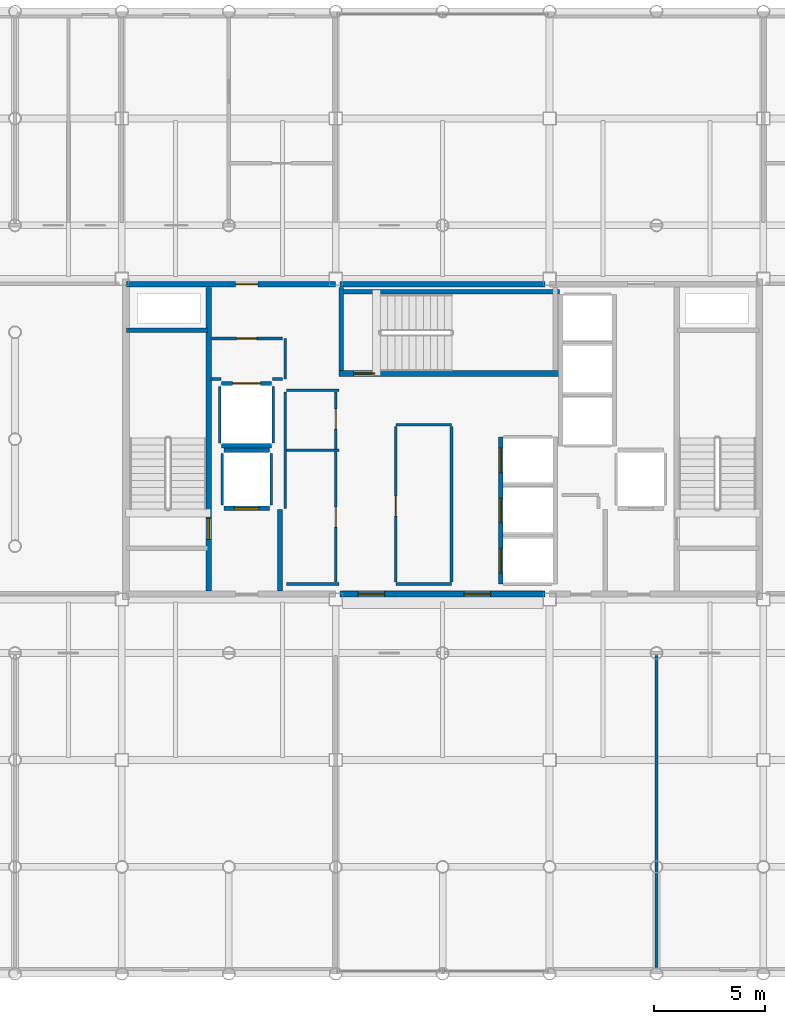
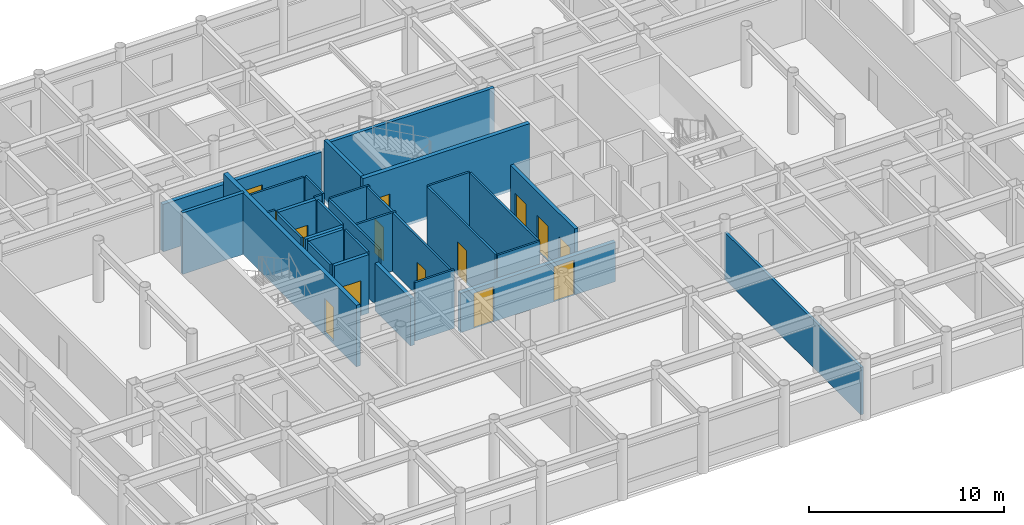
# One storey, part 17 of 21: 32 walls, 14 doors, 14 openings.
"""IFC4 building model written with IfcOpenShell, lengths in metres."""

from ifc_helpers import new_model, si_unit, direction, frame, frame_2d, origin, place, context, subcontext, project, spatial, rectangle, extrude, material, layer, layer_set, type_object, element, fill, save


model = new_model("IFC4")

# Units and contexts
model_context = context("Model", 3, precision=1e-05, world=origin(), true_north=direction((0.0, 1.0)))
body_context = subcontext(model_context, "Body", "Model", "MODEL_VIEW")
ifc_project = project(units=[si_unit("LENGTHUNIT", "METRE"), si_unit("AREAUNIT", "SQUARE_METRE"), si_unit("VOLUMEUNIT", "CUBIC_METRE"), si_unit("PLANEANGLEUNIT", "RADIAN"), si_unit("MASSUNIT", "GRAM", prefix="KILO")], contexts=[model_context])

# Site, building, storey
site_placement = place(None, origin())
site = spatial("IfcSite", under=ifc_project, at=site_placement, CompositionType="ELEMENT")
building_placement = place(site_placement, origin())
building = spatial("IfcBuilding", under=site, at=building_placement, Name="Kallvorn Hotel Tower", CompositionType="ELEMENT")
storey_placement = place(building_placement, frame((0.0, 0.0, 214.60009765625)))
storey = spatial("IfcBuildingStorey", under=building, at=storey_placement, Name="L53", CompositionType="ELEMENT", Elevation=214.60009765625)

# Walls
ifc_material_1 = material(Name="Concrete C40/50", Category="concrete")
ifc_layer_1 = layer(ifc_material_1, 0.219970703125)
ifc_layer_set_1 = layer_set([ifc_layer_1], Name="WL_FFL_220")
wall_type_1 = type_object("IfcWallType", Name="WL_FFL_220", PredefinedType="SOLIDWALL", material=ifc_layer_set_1)
wall_1_placement = place(storey_placement, frame((-7.300048828125, -6.820068359375, 0.0), z_axis=(0.0, 0.0, 1.0), x_axis=(0.0, 1.0, 0.0)))
element("IfcWall", 1, at=wall_1_placement, inside=storey, type_object=wall_type_1, Name="L53 Firefighting Lobby West Divider Wall", PredefinedType="SOLIDWALL", context=body_context, shape_type="SweptSolid", body=[
    extrude(rectangle(XDim=3.670166015625, YDim=0.219970703125, at=frame_2d((1.8349609375, 0.0))), origin(), (0.0, 0.0, 1.0), 2.969970703125),
])
ifc_material_2 = material(Name="Concrete C40/50", Category="concrete")
ifc_layer_2 = layer(ifc_material_2, 0.199951171875)
ifc_layer_set_2 = layer_set([ifc_layer_2], Name="WL_HOIST_200")
wall_type_2 = type_object("IfcWallType", Name="WL_HOIST_200", PredefinedType="SOLIDWALL", material=ifc_layer_set_2)
wall_2_placement = place(storey_placement, frame((-14.199951171875, 4.89990234375, -0.18017578125), z_axis=(0.0, 0.0, 1.0), x_axis=(1.0, 0.0, 0.0)))
element("IfcWall", 2, at=wall_2_placement, inside=storey, type_object=wall_type_2, Name="L53 Stair ST1 North Wall", PredefinedType="SOLIDWALL", context=body_context, shape_type="SweptSolid", body=[
    extrude(rectangle(XDim=3.64990234375, YDim=0.199951171875, at=frame_2d((1.824951171875, 0.0))), origin(), (0.0, 0.0, 1.0), 3.85009765625),
])
wall_3_placement = place(storey_placement, frame((-4.64990234375, 6.610107421875, -0.18017578125), z_axis=(0.0, 0.0, 1.0), x_axis=(1.0, 0.0, 0.0)))
element("IfcWall", 3, at=wall_3_placement, inside=storey, type_object=wall_type_2, Name="L53 Stair ST3 Shaft North Wall", PredefinedType="SOLIDWALL", context=body_context, shape_type="SweptSolid", body=[
    extrude(rectangle(XDim=9.89990234375, YDim=0.199951171875, at=frame_2d((4.949951171875, 0.0))), origin(), (0.0, 0.0, 1.0), 3.85009765625),
])
wall_4_placement = place(storey_placement, frame((-4.550048828125, 3.080078125, -0.18017578125), z_axis=(0.0, 0.0, 1.0), x_axis=(0.0, 1.0, 0.0)))
element("IfcWall", 4, at=wall_4_placement, inside=storey, type_object=wall_type_2, Name="L53 Stair ST3 West Wall", PredefinedType="SOLIDWALL", context=body_context, shape_type="SweptSolid", body=[
    extrude(rectangle(XDim=3.739990234375, YDim=0.199951171875, at=frame_2d((1.8701171875, 0.0))), origin(), (0.0, 0.0, 1.0), 3.85009765625),
])

# Wall, openings, doors
wall_5_placement = place(storey_placement, frame((2.60009765625, -6.5, 0.0), z_axis=(0.0, 0.0, 1.0), x_axis=(0.0, 1.0, 0.0)))
wall_5 = element("IfcWall", 5, at=wall_5_placement, inside=storey, type_object=wall_type_2, Name="L53 Lift Bank B3A Landing Wall", PredefinedType="SOLIDWALL", context=body_context, shape_type="SweptSolid", body=[
    extrude(rectangle(XDim=6.60009765625, YDim=0.199951171875, at=frame_2d((3.300048828125, 0.0))), origin(), (0.0, 0.0, 1.0), 3.669921875),
])
opening_1_placement = place(wall_5_placement, frame((0.5, 0.0, 0.0)))
opening_1 = element("IfcOpeningElement", 6, at=opening_1_placement, cuts=wall_5, Name="Opening LD-PL-09", PredefinedType="OPENING", context=body_context, shape_type="SweptSolid", body=[
    extrude(rectangle(XDim=1.10009765625, YDim=2.199951171875, at=frame_2d((0.550048828125, 1.10009765625))), frame((0.0, 0.114990234375, 0.0), z_axis=(0.0, -1.0, 0.0), x_axis=(1.0, 0.0, 0.0)), (0.0, 0.0, 1.0), 0.22998046875),
])
opening_2_placement = place(wall_5_placement, frame((2.75, 0.0, 0.0)))
opening_2 = element("IfcOpeningElement", 7, at=opening_2_placement, cuts=wall_5, Name="Opening LD-PL-10", PredefinedType="OPENING", context=body_context, shape_type="SweptSolid", body=[
    extrude(rectangle(XDim=1.10009765625, YDim=2.199951171875, at=frame_2d((0.550048828125, 1.10009765625))), frame((0.0, 0.114990234375, 0.0), z_axis=(0.0, -1.0, 0.0), x_axis=(1.0, 0.0, 0.0)), (0.0, 0.0, 1.0), 0.22998046875),
])
opening_3_placement = place(wall_5_placement, frame((5.0, 0.0, 0.0)))
opening_3 = element("IfcOpeningElement", 8, at=opening_3_placement, cuts=wall_5, Name="Opening LD-PL-11", PredefinedType="OPENING", context=body_context, shape_type="SweptSolid", body=[
    extrude(rectangle(XDim=1.10009765625, YDim=2.199951171875, at=frame_2d((0.550048828125, 1.10009765625))), frame((0.0, 0.114990234375, 0.0), z_axis=(0.0, -1.0, 0.0), x_axis=(1.0, 0.0, 0.0)), (0.0, 0.0, 1.0), 0.22998046875),
])
ifc_material_3 = material(Name="Brushed stainless-steel automatic sliding lift landing door", Category="steel")
door_type_1 = type_object("IfcDoorType", Name="LD_PASS_1100x2200", OperationType="SLIDING_TO_LEFT", PredefinedType="DOOR", material=ifc_material_3)
door_1_placement = place(opening_1_placement, origin())
door_1 = element("IfcDoor", 9, at=door_1_placement, inside=storey, type_object=door_type_1, Name="L53 Lift Landing Sliding Door LD-PL-09", OperationType="SLIDING_TO_LEFT", OverallHeight=2.199951171875, OverallWidth=1.10009765625, PredefinedType="DOOR", context=body_context, shape_type="SweptSolid", body=[
    extrude(rectangle(XDim=1.10009765625, YDim=2.199951171875, at=frame_2d((0.550048828125, 1.10009765625))), frame((0.0, 0.02490234375, 0.0), z_axis=(0.0, -1.0, 0.0), x_axis=(1.0, 0.0, 0.0)), (0.0, 0.0, 1.0), 0.050048828125),
])
fill(opening_1, door_1)
door_2_placement = place(opening_2_placement, origin())
door_2 = element("IfcDoor", 10, at=door_2_placement, inside=storey, type_object=door_type_1, Name="L53 Lift Landing Sliding Door LD-PL-10", OperationType="SLIDING_TO_LEFT", OverallHeight=2.199951171875, OverallWidth=1.10009765625, PredefinedType="DOOR", context=body_context, shape_type="SweptSolid", body=[
    extrude(rectangle(XDim=1.10009765625, YDim=2.199951171875, at=frame_2d((0.550048828125, 1.10009765625))), frame((0.0, 0.02490234375, 0.0), z_axis=(0.0, -1.0, 0.0), x_axis=(1.0, 0.0, 0.0)), (0.0, 0.0, 1.0), 0.050048828125),
])
fill(opening_2, door_2)
door_3_placement = place(opening_3_placement, origin())
door_3 = element("IfcDoor", 11, at=door_3_placement, inside=storey, type_object=door_type_1, Name="L53 Lift Landing Sliding Door LD-PL-11", OperationType="SLIDING_TO_LEFT", OverallHeight=2.199951171875, OverallWidth=1.10009765625, PredefinedType="DOOR", context=body_context, shape_type="SweptSolid", body=[
    extrude(rectangle(XDim=1.10009765625, YDim=2.199951171875, at=frame_2d((0.550048828125, 1.10009765625))), frame((0.0, 0.02490234375, 0.0), z_axis=(0.0, -1.0, 0.0), x_axis=(1.0, 0.0, 0.0)), (0.0, 0.0, 1.0), 0.050048828125),
])
fill(opening_3, door_3)

# Wall, opening, door
wall_6_placement = place(storey_placement, frame((-9.820068359375, -3.10009765625, 0.0), z_axis=(0.0, 0.0, 1.0), x_axis=(1.0, 0.0, 0.0)))
wall_6 = element("IfcWall", 12, at=wall_6_placement, inside=storey, type_object=wall_type_2, Name="L53 FL-1 Landing Wall", PredefinedType="SOLIDWALL", context=body_context, shape_type="SweptSolid", body=[
    extrude(rectangle(XDim=2.0400390625, YDim=0.199951171875, at=frame_2d((1.02001953125, 0.0))), origin(), (0.0, 0.0, 1.0), 3.669921875),
])
opening_4_placement = place(wall_6_placement, frame((0.469970703125, 0.0, 0.0)))
opening_4 = element("IfcOpeningElement", 13, at=opening_4_placement, cuts=wall_6, Name="Opening LD-FL-1", PredefinedType="OPENING", context=body_context, shape_type="SweptSolid", body=[
    extrude(rectangle(XDim=1.10009765625, YDim=2.199951171875, at=frame_2d((0.550048828125, 1.10009765625))), frame((0.0, 0.114990234375, 0.0), z_axis=(0.0, -1.0, 0.0), x_axis=(1.0, 0.0, 0.0)), (0.0, 0.0, 1.0), 0.22998046875),
])
door_4_placement = place(opening_4_placement, origin())
door_4 = element("IfcDoor", 14, at=door_4_placement, inside=storey, type_object=door_type_1, Name="L53 Lift Landing Sliding Door LD-FL-1", OperationType="SLIDING_TO_LEFT", OverallHeight=2.199951171875, OverallWidth=1.10009765625, PredefinedType="DOOR", context=body_context, shape_type="SweptSolid", body=[
    extrude(rectangle(XDim=1.10009765625, YDim=2.199951171875, at=frame_2d((0.550048828125, 1.10009765625))), frame((0.0, 0.02490234375, 0.0), z_axis=(0.0, -1.0, 0.0), x_axis=(1.0, 0.0, 0.0)), (0.0, 0.0, 1.0), 0.050048828125),
])
fill(opening_4, door_4)

# Wall
wall_7_placement = place(storey_placement, frame((-9.820068359375, -0.5, 0.0), z_axis=(0.0, 0.0, 1.0), x_axis=(1.0, 0.0, 0.0)))
element("IfcWall", 15, at=wall_7_placement, inside=storey, type_object=wall_type_2, Name="L53 FL-1 Rear Shaft Wall", PredefinedType="SOLIDWALL", context=body_context, shape_type="SweptSolid", body=[
    extrude(rectangle(XDim=2.0400390625, YDim=0.199951171875, at=frame_2d((1.02001953125, 0.0))), origin(), (0.0, 0.0, 1.0), 3.669921875),
])

# Wall, opening, door
wall_8_placement = place(storey_placement, frame((-9.919921875, 2.5, 0.0), z_axis=(0.0, 0.0, 1.0), x_axis=(1.0, 0.0, 0.0)))
wall_8 = element("IfcWall", 16, at=wall_8_placement, inside=storey, type_object=wall_type_2, Name="L53 SV-01 Landing Wall", PredefinedType="SOLIDWALL", context=body_context, shape_type="SweptSolid", body=[
    extrude(rectangle(XDim=2.239990234375, YDim=0.199951171875, at=frame_2d((1.1201171875, 0.0))), origin(), (0.0, 0.0, 1.0), 3.669921875),
])
opening_5_placement = place(wall_8_placement, frame((0.4951171875, 0.0, 0.0)))
opening_5 = element("IfcOpeningElement", 17, at=opening_5_placement, cuts=wall_8, Name="Opening LD-SV-01", PredefinedType="OPENING", context=body_context, shape_type="SweptSolid", body=[
    extrude(rectangle(XDim=1.25, YDim=2.25, at=frame_2d((0.625, 1.125))), frame((0.0, 0.114990234375, 0.0), z_axis=(0.0, -1.0, 0.0), x_axis=(1.0, 0.0, 0.0)), (0.0, 0.0, 1.0), 0.22998046875),
])
ifc_material_4 = material(Name="Brushed stainless-steel automatic sliding lift landing door", Category="steel")
door_type_2 = type_object("IfcDoorType", Name="LD_SERV_1250x2250", OperationType="SLIDING_TO_LEFT", PredefinedType="DOOR", material=ifc_material_4)
door_5_placement = place(opening_5_placement, origin())
door_5 = element("IfcDoor", 18, at=door_5_placement, inside=storey, type_object=door_type_2, Name="L53 Lift Landing Sliding Door LD-SV-01", OperationType="SLIDING_TO_LEFT", OverallHeight=2.25, OverallWidth=1.25, PredefinedType="DOOR", context=body_context, shape_type="SweptSolid", body=[
    extrude(rectangle(XDim=1.25, YDim=2.25, at=frame_2d((0.625, 1.125))), frame((0.0, 0.02490234375, 0.0), z_axis=(0.0, -1.0, 0.0), x_axis=(1.0, 0.0, 0.0)), (0.0, 0.0, 1.0), 0.050048828125),
])
fill(opening_5, door_5)

# Walls
wall_9_placement = place(storey_placement, frame((-9.919921875, -0.300048828125, 0.0), z_axis=(0.0, 0.0, 1.0), x_axis=(1.0, 0.0, 0.0)))
element("IfcWall", 19, at=wall_9_placement, inside=storey, type_object=wall_type_2, Name="L53 SV-01 Rear Shaft Wall", PredefinedType="SOLIDWALL", context=body_context, shape_type="SweptSolid", body=[
    extrude(rectangle(XDim=2.239990234375, YDim=0.199951171875, at=frame_2d((1.1201171875, 0.0))), origin(), (0.0, 0.0, 1.0), 3.669921875),
])
ifc_material_5 = material(Name="Fire-rated double-layer acoustic gypsum drywall EI 60")
ifc_layer_3 = layer(ifc_material_5, 0.1201171875)
ifc_layer_set_3 = layer_set([ifc_layer_3], Name="WL_INT_120")
wall_type_3 = type_object("IfcWallType", Name="WL_INT_120", PredefinedType="PARTITIONING", material=ifc_layer_set_3)
for number, where, z_axis, x_axis, name in (
    (20, (-9.89990234375, -2.9599609375, 0.0), (0.0, 0.0, 1.0), (0.0, 1.0, 0.0), "L53 FL-1 West Shaft Wall"),
    (21, (-7.699951171875, -2.9599609375, 0.0), (0.0, 0.0, 1.0), (0.0, 1.0, 0.0), "L53 FL-1 East Shaft Wall"),
):
    element("IfcWall", number, at=place(storey_placement, frame(where, z_axis=z_axis, x_axis=x_axis)), inside=storey, type_object=wall_type_3, Name=name, PredefinedType="PARTITIONING", context=body_context, shape_type="SweptSolid", body=[
        extrude(rectangle(XDim=2.320068359375, YDim=0.1201171875, at=frame_2d((1.16015625, 0.0))), origin(), (0.0, 0.0, 1.0), 3.669921875),
    ])
for number, where, z_axis, x_axis, name in (
    (22, (-10.0, -0.159912109375, 0.0), (0.0, 0.0, 1.0), (0.0, 1.0, 0.0), "L53 SV-01 West Shaft Wall"),
    (23, (-7.60009765625, -0.159912109375, 0.0), (0.0, 0.0, 1.0), (0.0, 1.0, 0.0), "L53 SV-01 East Shaft Wall"),
):
    element("IfcWall", number, at=place(storey_placement, frame(where, z_axis=z_axis, x_axis=x_axis)), inside=storey, type_object=wall_type_3, Name=name, PredefinedType="PARTITIONING", context=body_context, shape_type="SweptSolid", body=[
        extrude(rectangle(XDim=2.52001953125, YDim=0.1201171875, at=frame_2d((1.260009765625, 0.0))), origin(), (0.0, 0.0, 1.0), 3.669921875),
    ])
wall_10_placement = place(storey_placement, frame((-7.0, -6.5, 0.0), z_axis=(0.0, 0.0, 1.0), x_axis=(1.0, 0.0, 0.0)))
element("IfcWall", 24, at=wall_10_placement, inside=storey, type_object=wall_type_3, Name="L53 Recaptured Full-Depth Sommelier Store Partition", PredefinedType="PARTITIONING", context=body_context, shape_type="SweptSolid", body=[
    extrude(rectangle(XDim=2.35009765625, YDim=0.1201171875, at=frame_2d((1.175048828125, 0.0))), origin(), (0.0, 0.0, 1.0), 3.669921875),
])
wall_11_placement = place(storey_placement, frame((-2.10009765625, -6.5, 0.0), z_axis=(0.0, 0.0, 1.0), x_axis=(1.0, 0.0, 0.0)))
element("IfcWall", 25, at=wall_11_placement, inside=storey, type_object=wall_type_3, Name="L53 High-Zone IT and Tableware Reserve Room Partition", PredefinedType="PARTITIONING", context=body_context, shape_type="SweptSolid", body=[
    extrude(rectangle(XDim=2.5, YDim=0.1201171875, at=frame_2d((1.25, 0.0))), origin(), (0.0, 0.0, 1.0), 3.669921875),
])
wall_12_placement = place(storey_placement, frame((-7.0, -0.5, 0.0), z_axis=(0.0, 0.0, 1.0), x_axis=(1.0, 0.0, 0.0)))
element("IfcWall", 26, at=wall_12_placement, inside=storey, type_object=wall_type_3, Name="L53 Recaptured Full-Depth Sommelier Store Partition", PredefinedType="PARTITIONING", context=body_context, shape_type="SweptSolid", body=[
    extrude(rectangle(XDim=2.35009765625, YDim=0.1201171875, at=frame_2d((1.175048828125, 0.0))), origin(), (0.0, 0.0, 1.0), 3.669921875),
])
wall_13_placement = place(storey_placement, frame((-2.10009765625, 0.64990234375, 0.0), z_axis=(0.0, 0.0, 1.0), x_axis=(1.0, 0.0, 0.0)))
element("IfcWall", 27, at=wall_13_placement, inside=storey, type_object=wall_type_3, Name="L53 High-Zone IT and Tableware Reserve Room Partition", PredefinedType="PARTITIONING", context=body_context, shape_type="SweptSolid", body=[
    extrude(rectangle(XDim=2.5, YDim=0.1201171875, at=frame_2d((1.25, 0.0))), origin(), (0.0, 0.0, 1.0), 3.669921875),
])
wall_14_placement = place(storey_placement, frame((-7.0, 2.199951171875, 0.0), z_axis=(0.0, 0.0, 1.0), x_axis=(1.0, 0.0, 0.0)))
element("IfcWall", 28, at=wall_14_placement, inside=storey, type_object=wall_type_3, Name="L53 Recaptured Housekeeping Prep Room Partition", PredefinedType="PARTITIONING", context=body_context, shape_type="SweptSolid", body=[
    extrude(rectangle(XDim=2.35009765625, YDim=0.1201171875, at=frame_2d((1.175048828125, 0.0))), origin(), (0.0, 0.0, 1.0), 3.669921875),
])
for number, where, z_axis, x_axis, name in (
    (29, (-10.39990234375, 2.699951171875, 0.0), (0.0, 0.0, 1.0), (1.0, 0.0, 0.0), "L53 Core Telecom and Metering Store Partition"),
    (30, (-7.639892578125, 2.699951171875, 0.0), (0.0, 0.0, 1.0), (1.0, 0.0, 0.0), "L53 Core Telecom and Metering Store Partition"),
):
    element("IfcWall", number, at=place(storey_placement, frame(where, z_axis=z_axis, x_axis=x_axis)), inside=storey, type_object=wall_type_3, Name=name, PredefinedType="PARTITIONING", context=body_context, shape_type="SweptSolid", body=[
        extrude(rectangle(XDim=0.43994140625, YDim=0.1201171875, at=frame_2d((0.219970703125, 0.0))), origin(), (0.0, 0.0, 1.0), 3.669921875),
    ])

# Wall, opening, door
wall_15_placement = place(storey_placement, frame((-10.39990234375, 4.52001953125, 0.0), z_axis=(0.0, 0.0, 1.0), x_axis=(1.0, 0.0, 0.0)))
wall_15 = element("IfcWall", 31, at=wall_15_placement, inside=storey, type_object=wall_type_3, Name="L53 Core Telecom and Metering Store Partition", PredefinedType="PARTITIONING", context=body_context, shape_type="SweptSolid", body=[
    extrude(rectangle(XDim=3.199951171875, YDim=0.1201171875, at=frame_2d((1.60009765625, 0.0))), origin(), (0.0, 0.0, 1.0), 3.669921875),
])
opening_6_placement = place(wall_15_placement, frame((1.14990234375, 0.0, 0.0)))
opening_6 = element("IfcOpeningElement", 32, at=opening_6_placement, cuts=wall_15, Name="Opening SVD1", PredefinedType="OPENING", context=body_context, shape_type="SweptSolid", body=[
    extrude(rectangle(XDim=0.89990234375, YDim=2.10009765625, at=frame_2d((0.449951171875, 1.050048828125))), frame((0.0, 0.074951171875, 0.0), z_axis=(0.0, -1.0, 0.0), x_axis=(1.0, 0.0, 0.0)), (0.0, 0.0, 1.0), 0.150146484375),
])
ifc_material_6 = material(Name="Galvanised painted steel fire-rated door assembly", Category="steel")
door_type_3 = type_object("IfcDoorType", Name="DR_SERV_900x2100", OperationType="NOTDEFINED", PredefinedType="DOOR", material=ifc_material_6)
door_6_placement = place(opening_6_placement, origin())
door_6 = element("IfcDoor", 33, at=door_6_placement, inside=storey, type_object=door_type_3, Name="L53 Core Telecom and Metering Store Door", OperationType="SINGLE_SWING_LEFT", OverallHeight=2.10009765625, OverallWidth=0.89990234375, PredefinedType="DOOR", context=body_context, shape_type="SweptSolid", body=[
    extrude(rectangle(XDim=0.89990234375, YDim=2.10009765625, at=frame_2d((0.449951171875, 1.050048828125))), frame((0.0, 0.02490234375, 0.0), z_axis=(0.0, -1.0, 0.0), x_axis=(1.0, 0.0, 0.0)), (0.0, 0.0, 1.0), 0.050048828125),
])
fill(opening_6, door_6)

# Walls
wall_16_placement = place(storey_placement, frame((-7.066650390625, -3.110107421875, 0.0), z_axis=(0.0, 0.0, 1.0), x_axis=(0.0, 1.0, 0.0)))
element("IfcWall", 34, at=wall_16_placement, inside=storey, type_object=wall_type_3, Name="L53 Recaptured Full-Depth Sommelier Store Partition", PredefinedType="PARTITIONING", context=body_context, shape_type="SweptSolid", body=[
    extrude(rectangle(XDim=5.22509765625, YDim=0.1201171875, at=frame_2d((2.612548828125, 0.0))), origin(), (0.0, 0.0, 1.0), 3.669921875),
])
wall_17_placement = place(storey_placement, frame((-7.066650390625, 2.699951171875, 0.0), z_axis=(0.0, 0.0, 1.0), x_axis=(0.0, 1.0, 0.0)))
element("IfcWall", 35, at=wall_17_placement, inside=storey, type_object=wall_type_3, Name="L53 Core Telecom and Metering Store Partition", PredefinedType="PARTITIONING", context=body_context, shape_type="SweptSolid", body=[
    extrude(rectangle(XDim=1.820068359375, YDim=0.1201171875, at=frame_2d((0.91015625, 0.0))), origin(), (0.0, 0.0, 1.0), 3.669921875),
])

# Wall, openings, doors
wall_18_placement = place(storey_placement, frame((-4.800048828125, -6.4150390625, 0.0), z_axis=(0.0, 0.0, 1.0), x_axis=(0.0, 1.0, 0.0)))
wall_18 = element("IfcWall", 36, at=wall_18_placement, inside=storey, type_object=wall_type_3, Name="L53 Recaptured Full-Depth Sommelier Store Partition", PredefinedType="PARTITIONING", context=body_context, shape_type="SweptSolid", body=[
    extrude(rectangle(XDim=8.530029296875, YDim=0.1201171875, at=frame_2d((4.26513671875, 0.0))), origin(), (0.0, 0.0, 1.0), 3.669921875),
])
opening_7_placement = place(wall_18_placement, frame((2.465087890625, 0.0, 0.0)))
opening_7 = element("IfcOpeningElement", 37, at=opening_7_placement, cuts=wall_18, Name="Opening SVD1", PredefinedType="OPENING", context=body_context, shape_type="SweptSolid", body=[
    extrude(rectangle(XDim=0.89990234375, YDim=2.10009765625, at=frame_2d((0.449951171875, 1.050048828125))), frame((0.0, 0.074951171875, 0.0), z_axis=(0.0, -1.0, 0.0), x_axis=(1.0, 0.0, 0.0)), (0.0, 0.0, 1.0), 0.150146484375),
])
opening_8_placement = place(wall_18_placement, frame((6.864990234375, 0.0, 0.0)))
opening_8 = element("IfcOpeningElement", 38, at=opening_8_placement, cuts=wall_18, Name="Opening SVD1", PredefinedType="OPENING", context=body_context, shape_type="SweptSolid", body=[
    extrude(rectangle(XDim=0.89990234375, YDim=2.10009765625, at=frame_2d((0.449951171875, 1.050048828125))), frame((0.0, 0.074951171875, 0.0), z_axis=(0.0, -1.0, 0.0), x_axis=(1.0, 0.0, 0.0)), (0.0, 0.0, 1.0), 0.150146484375),
])
door_7_placement = place(opening_7_placement, origin())
door_7 = element("IfcDoor", 39, at=door_7_placement, inside=storey, type_object=door_type_3, Name="L53 Recaptured Full-Depth Sommelier Store Door", OperationType="SINGLE_SWING_LEFT", OverallHeight=2.10009765625, OverallWidth=0.89990234375, PredefinedType="DOOR", context=body_context, shape_type="SweptSolid", body=[
    extrude(rectangle(XDim=0.89990234375, YDim=2.10009765625, at=frame_2d((0.449951171875, 1.050048828125))), frame((0.0, 0.02490234375, 0.0), z_axis=(0.0, -1.0, 0.0), x_axis=(1.0, 0.0, 0.0)), (0.0, 0.0, 1.0), 0.050048828125),
])
fill(opening_7, door_7)
door_8_placement = place(opening_8_placement, origin())
door_8 = element("IfcDoor", 40, at=door_8_placement, inside=storey, type_object=door_type_3, Name="L53 Recaptured Housekeeping Prep Room Door", OperationType="SINGLE_SWING_LEFT", OverallHeight=2.10009765625, OverallWidth=0.89990234375, PredefinedType="DOOR", context=body_context, shape_type="SweptSolid", body=[
    extrude(rectangle(XDim=0.89990234375, YDim=2.10009765625, at=frame_2d((0.449951171875, 1.050048828125))), frame((0.0, 0.02490234375, 0.0), z_axis=(0.0, -1.0, 0.0), x_axis=(1.0, 0.0, 0.0)), (0.0, 0.0, 1.0), 0.050048828125),
])
fill(opening_8, door_8)

# Wall, opening, door
wall_19_placement = place(storey_placement, frame((-2.10009765625, -6.4150390625, 0.0), z_axis=(0.0, 0.0, 1.0), x_axis=(0.0, 1.0, 0.0)))
wall_19 = element("IfcWall", 41, at=wall_19_placement, inside=storey, type_object=wall_type_3, Name="L53 High-Zone IT and Tableware Reserve Room Partition", PredefinedType="PARTITIONING", context=body_context, shape_type="SweptSolid", body=[
    extrude(rectangle(XDim=6.97998046875, YDim=0.1201171875, at=frame_2d((3.489990234375, 0.0))), origin(), (0.0, 0.0, 1.0), 3.669921875),
])
opening_9_placement = place(wall_19_placement, frame((2.965087890625, 0.0, 0.0)))
opening_9 = element("IfcOpeningElement", 42, at=opening_9_placement, cuts=wall_19, Name="Opening SVD1", PredefinedType="OPENING", context=body_context, shape_type="SweptSolid", body=[
    extrude(rectangle(XDim=0.89990234375, YDim=2.10009765625, at=frame_2d((0.449951171875, 1.050048828125))), frame((0.0, 0.074951171875, 0.0), z_axis=(0.0, -1.0, 0.0), x_axis=(1.0, 0.0, 0.0)), (0.0, 0.0, 1.0), 0.150146484375),
])
door_9_placement = place(opening_9_placement, origin())
door_9 = element("IfcDoor", 43, at=door_9_placement, inside=storey, type_object=door_type_3, Name="L53 High-Zone IT and Tableware Reserve Room Door", OperationType="SINGLE_SWING_LEFT", OverallHeight=2.10009765625, OverallWidth=0.89990234375, PredefinedType="DOOR", context=body_context, shape_type="SweptSolid", body=[
    extrude(rectangle(XDim=0.89990234375, YDim=2.10009765625, at=frame_2d((0.449951171875, 1.050048828125))), frame((0.0, 0.02490234375, 0.0), z_axis=(0.0, -1.0, 0.0), x_axis=(1.0, 0.0, 0.0)), (0.0, 0.0, 1.0), 0.050048828125),
])
fill(opening_9, door_9)

# Walls
wall_20_placement = place(storey_placement, frame((0.39990234375, -6.4150390625, 0.0), z_axis=(0.0, 0.0, 1.0), x_axis=(0.0, 1.0, 0.0)))
element("IfcWall", 44, at=wall_20_placement, inside=storey, type_object=wall_type_3, Name="L53 High-Zone IT and Tableware Reserve Room Partition", PredefinedType="PARTITIONING", context=body_context, shape_type="SweptSolid", body=[
    extrude(rectangle(XDim=6.97998046875, YDim=0.1201171875, at=frame_2d((3.489990234375, 0.0))), origin(), (0.0, 0.0, 1.0), 3.669921875),
])
ifc_material_7 = material(Name="Fire-rated double-layer acoustic gypsum drywall EI 60")
ifc_layer_4 = layer(ifc_material_7, 0.14990234375)
ifc_layer_set_4 = layer_set([ifc_layer_4], Name="WL_PART_150")
wall_type_4 = type_object("IfcWallType", Name="WL_PART_150", PredefinedType="PARTITIONING", material=ifc_layer_set_4)
wall_21_placement = place(storey_placement, frame((9.60009765625, -23.7099609375, 0.0), z_axis=(0.0, 0.0, 1.0), x_axis=(0.0, 1.0, 0.0)))
element("IfcWall", 45, at=wall_21_placement, inside=storey, type_object=wall_type_4, Name="L53 L53 Haute Couture Design Retail Shop 3 Partition", PredefinedType="PARTITIONING", context=body_context, shape_type="SweptSolid", body=[
    extrude(rectangle(XDim=13.989990234375, YDim=0.14990234375, at=frame_2d((6.9951171875, 0.0))), origin(), (0.0, 0.0, 1.0), 2.969970703125),
])

# Wall, openings, doors
ifc_material_8 = material(Name="Concrete C40/50", Category="concrete")
ifc_layer_5 = layer(ifc_material_8, 0.25)
ifc_layer_set_5 = layer_set([ifc_layer_5], Name="WL_SHAFT_250")
wall_type_5 = type_object("IfcWallType", Name="WL_SHAFT_250", PredefinedType="SOLIDWALL", material=ifc_layer_set_5)
wall_22_placement = place(storey_placement, frame((-4.60009765625, -6.949951171875, 0.0), z_axis=(0.0, 0.0, 1.0), x_axis=(1.0, 0.0, 0.0)))
wall_22 = element("IfcWall", 46, at=wall_22_placement, inside=storey, type_object=wall_type_5, Name="L53 Core South-Central Wall", PredefinedType="SOLIDWALL", context=body_context, shape_type="SweptSolid", body=[
    extrude(rectangle(XDim=9.2001953125, YDim=0.25, at=frame_2d((4.60009765625, 0.0))), origin(), (0.0, 0.0, 1.0), 2.469970703125),
])
opening_10_placement = place(wall_22_placement, frame((0.800048828125, 0.0, 0.0)))
opening_10 = element("IfcOpeningElement", 47, at=opening_10_placement, cuts=wall_22, Name="Opening FD2", PredefinedType="OPENING", context=body_context, shape_type="SweptSolid", body=[
    extrude(rectangle(XDim=1.199951171875, YDim=2.199951171875, at=frame_2d((0.60009765625, 1.10009765625))), frame((0.0, 0.139892578125, 0.0), z_axis=(0.0, -1.0, 0.0), x_axis=(1.0, 0.0, 0.0)), (0.0, 0.0, 1.0), 0.280029296875),
])
opening_11_placement = place(wall_22_placement, frame((5.550048828125, 0.0, 0.0)))
opening_11 = element("IfcOpeningElement", 48, at=opening_11_placement, cuts=wall_22, Name="Opening FD2", PredefinedType="OPENING", context=body_context, shape_type="SweptSolid", body=[
    extrude(rectangle(XDim=1.199951171875, YDim=2.199951171875, at=frame_2d((0.60009765625, 1.10009765625))), frame((0.0, 0.139892578125, 0.0), z_axis=(0.0, -1.0, 0.0), x_axis=(1.0, 0.0, 0.0)), (0.0, 0.0, 1.0), 0.280029296875),
])
ifc_material_9 = material(Name="Galvanised painted steel fire-rated door assembly", Category="steel")
door_type_4 = type_object("IfcDoorType", Name="DR_LOBBY_1200x2200", OperationType="DOUBLE_DOOR_SINGLE_SWING", PredefinedType="DOOR", material=ifc_material_9)
door_10_placement = place(opening_10_placement, origin())
door_10 = element("IfcDoor", 49, at=door_10_placement, inside=storey, type_object=door_type_4, Name="L53 West Passenger Lift Lobby Door", OperationType="DOUBLE_DOOR_SINGLE_SWING", OverallHeight=2.199951171875, OverallWidth=1.199951171875, PredefinedType="DOOR", context=body_context, shape_type="SweptSolid", body=[
    extrude(rectangle(XDim=1.199951171875, YDim=2.199951171875, at=frame_2d((0.60009765625, 1.10009765625))), frame((0.0, 0.02490234375, 0.0), z_axis=(0.0, -1.0, 0.0), x_axis=(1.0, 0.0, 0.0)), (0.0, 0.0, 1.0), 0.050048828125),
])
fill(opening_10, door_10)
door_11_placement = place(opening_11_placement, origin())
door_11 = element("IfcDoor", 50, at=door_11_placement, inside=storey, type_object=door_type_4, Name="L53 East Passenger Lift Lobby Door", OperationType="DOUBLE_DOOR_SINGLE_SWING", OverallHeight=2.199951171875, OverallWidth=1.199951171875, PredefinedType="DOOR", context=body_context, shape_type="SweptSolid", body=[
    extrude(rectangle(XDim=1.199951171875, YDim=2.199951171875, at=frame_2d((0.60009765625, 1.10009765625))), frame((0.0, 0.02490234375, 0.0), z_axis=(0.0, -1.0, 0.0), x_axis=(1.0, 0.0, 0.0)), (0.0, 0.0, 1.0), 0.050048828125),
])
fill(opening_11, door_11)

# Wall, opening, door
wall_23_placement = place(storey_placement, frame((-14.199951171875, 6.949951171875, 0.0), z_axis=(0.0, 0.0, 1.0), x_axis=(1.0, 0.0, 0.0)))
wall_23 = element("IfcWall", 51, at=wall_23_placement, inside=storey, type_object=wall_type_5, Name="L53 Core North-West Wall", PredefinedType="SOLIDWALL", context=body_context, shape_type="SweptSolid", body=[
    extrude(rectangle(XDim=9.39990234375, YDim=0.25, at=frame_2d((4.699951171875, 0.0))), origin(), (0.0, 0.0, 1.0), 2.969970703125),
])
opening_12_placement = place(wall_23_placement, frame((4.89990234375, 0.0, 0.0)))
opening_12 = element("IfcOpeningElement", 52, at=opening_12_placement, cuts=wall_23, Name="Opening FD1", PredefinedType="OPENING", context=body_context, shape_type="SweptSolid", body=[
    extrude(rectangle(XDim=1.0, YDim=2.14990234375, at=frame_2d((0.5, 1.074951171875))), frame((0.0, 0.139892578125, 0.0), z_axis=(0.0, -1.0, 0.0), x_axis=(1.0, 0.0, 0.0)), (0.0, 0.0, 1.0), 0.280029296875),
])
ifc_material_10 = material(Name="Galvanised painted steel fire-rated door assembly", Category="steel")
door_type_5 = type_object("IfcDoorType", Name="DR_FFL_1000x2150", OperationType="NOTDEFINED", PredefinedType="DOOR", material=ifc_material_10)
door_12_placement = place(opening_12_placement, origin())
door_12 = element("IfcDoor", 53, at=door_12_placement, inside=storey, type_object=door_type_5, Name="L53 Service Lift Lobby Door", OperationType="SINGLE_SWING_RIGHT", OverallHeight=2.14990234375, OverallWidth=1.0, PredefinedType="DOOR", context=body_context, shape_type="SweptSolid", body=[
    extrude(rectangle(XDim=1.0, YDim=2.14990234375, at=frame_2d((0.5, 1.074951171875))), frame((0.0, 0.02490234375, 0.0), z_axis=(0.0, -1.0, 0.0), x_axis=(1.0, 0.0, 0.0)), (0.0, 0.0, 1.0), 0.050048828125),
])
fill(opening_12, door_12)

# Wall
wall_24_placement = place(storey_placement, frame((-4.60009765625, 6.949951171875, 0.0), z_axis=(0.0, 0.0, 1.0), x_axis=(1.0, 0.0, 0.0)))
element("IfcWall", 54, at=wall_24_placement, inside=storey, type_object=wall_type_5, Name="L53 Core North-Central Wall", PredefinedType="SOLIDWALL", context=body_context, shape_type="SweptSolid", body=[
    extrude(rectangle(XDim=9.2001953125, YDim=0.25, at=frame_2d((4.60009765625, 0.0))), origin(), (0.0, 0.0, 1.0), 2.969970703125),
])

# Wall, opening, door
wall_25_placement = place(storey_placement, frame((-10.5, -6.820068359375, -0.18017578125), z_axis=(0.0, 0.0, 1.0), x_axis=(0.0, 1.0, 0.0)))
wall_25 = element("IfcWall", 55, at=wall_25_placement, inside=storey, type_object=wall_type_5, Name="L53 Stair ST1 Shaft Wall", PredefinedType="SOLIDWALL", context=body_context, shape_type="SweptSolid", body=[
    extrude(rectangle(XDim=13.64013671875, YDim=0.25, at=frame_2d((6.820068359375, 0.0))), origin(), (0.0, 0.0, 1.0), 3.85009765625),
])
opening_13_placement = place(wall_25_placement, frame((2.320068359375, 0.0, 0.179931640625)))
opening_13 = element("IfcOpeningElement", 56, at=opening_13_placement, cuts=wall_25, Name="Opening SD1", PredefinedType="OPENING", context=body_context, shape_type="SweptSolid", body=[
    extrude(rectangle(XDim=0.949951171875, YDim=2.14990234375, at=frame_2d((0.47509765625, 1.074951171875))), frame((0.0, 0.139892578125, 0.0), z_axis=(0.0, -1.0, 0.0), x_axis=(1.0, 0.0, 0.0)), (0.0, 0.0, 1.0), 0.280029296875),
])
ifc_material_11 = material(Name="Galvanised painted steel fire-rated door assembly", Category="steel")
door_type_6 = type_object("IfcDoorType", Name="DR_STAIR_950x2150", OperationType="NOTDEFINED", PredefinedType="DOOR", material=ifc_material_11)
door_13_placement = place(opening_13_placement, origin())
door_13 = element("IfcDoor", 57, at=door_13_placement, inside=storey, type_object=door_type_6, Name="L53 Exit Stair ST1 Fire Door", OperationType="SINGLE_SWING_RIGHT", OverallHeight=2.14990234375, OverallWidth=0.949951171875, PredefinedType="DOOR", context=body_context, shape_type="SweptSolid", body=[
    extrude(rectangle(XDim=0.949951171875, YDim=2.14990234375, at=frame_2d((0.47509765625, 1.074951171875))), frame((0.0, 0.02490234375, 0.0), z_axis=(0.0, -1.0, 0.0), x_axis=(1.0, 0.0, 0.0)), (0.0, 0.0, 1.0), 0.050048828125),
])
fill(opening_13, door_13)

wall_26_placement = place(storey_placement, frame((-4.64990234375, 2.949951171875, -0.18017578125), z_axis=(0.0, 0.0, 1.0), x_axis=(1.0, 0.0, 0.0)))
wall_26 = element("IfcWall", 58, at=wall_26_placement, inside=storey, type_object=wall_type_5, Name="L53 Stair ST3 Shaft South Wall", PredefinedType="SOLIDWALL", context=body_context, shape_type="SweptSolid", body=[
    extrude(rectangle(XDim=9.89990234375, YDim=0.25, at=frame_2d((4.949951171875, 0.0))), origin(), (0.0, 0.0, 1.0), 3.85009765625),
])
opening_14_placement = place(wall_26_placement, frame((0.64990234375, 0.0, 0.179931640625)))
opening_14 = element("IfcOpeningElement", 59, at=opening_14_placement, cuts=wall_26, Name="Opening SD1", PredefinedType="OPENING", context=body_context, shape_type="SweptSolid", body=[
    extrude(rectangle(XDim=0.949951171875, YDim=2.14990234375, at=frame_2d((0.47509765625, 1.074951171875))), frame((0.0, 0.139892578125, 0.0), z_axis=(0.0, -1.0, 0.0), x_axis=(1.0, 0.0, 0.0)), (0.0, 0.0, 1.0), 0.280029296875),
])
door_14_placement = place(opening_14_placement, origin())
door_14 = element("IfcDoor", 60, at=door_14_placement, inside=storey, type_object=door_type_6, Name="L53 Exit Stair ST3 Fire Door", OperationType="SINGLE_SWING_RIGHT", OverallHeight=2.14990234375, OverallWidth=0.949951171875, PredefinedType="DOOR", context=body_context, shape_type="SweptSolid", body=[
    extrude(rectangle(XDim=0.949951171875, YDim=2.14990234375, at=frame_2d((0.47509765625, 1.074951171875))), frame((0.0, 0.02490234375, 0.0), z_axis=(0.0, -1.0, 0.0), x_axis=(1.0, 0.0, 0.0)), (0.0, 0.0, 1.0), 0.050048828125),
])
fill(opening_14, door_14)

save(model, "model.ifc")
